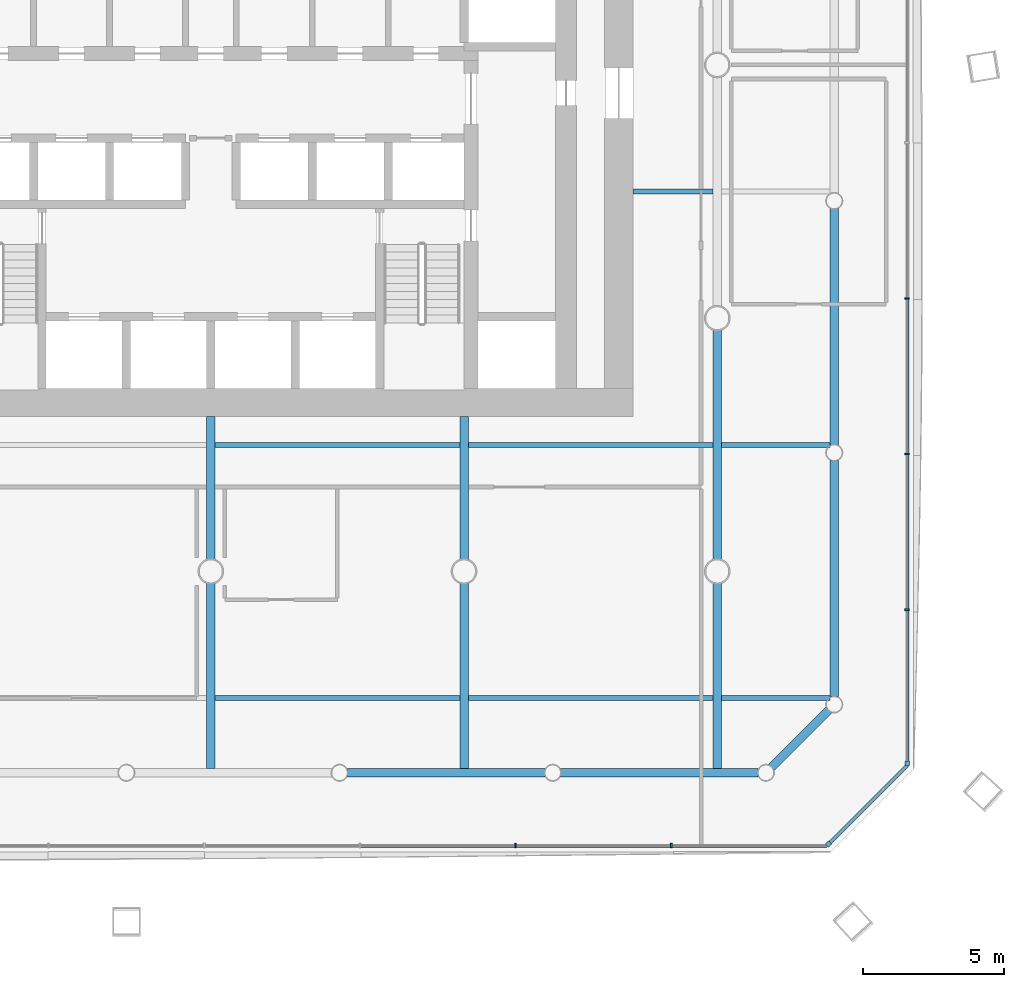
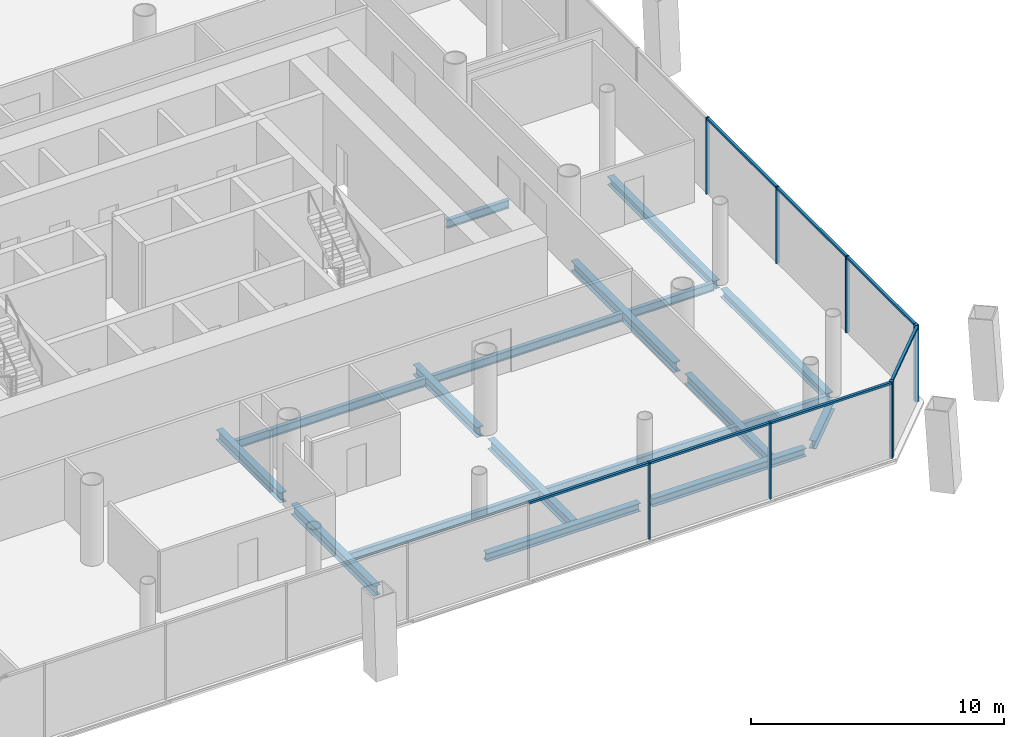
# One storey, part 6 of 22: 18 beams, 14 members, 3 elements without a shape of their own.
"""IFC4 building model written with IfcOpenShell, lengths in metres."""

from ifc_helpers import new_model, si_unit, direction, frame, origin, origin_2d, place, context, subcontext, project, spatial, rectangle, i_section, extrude, material, material_profile, profile_set, type_object, element, aggregate, save


model = new_model("IFC4")

# Units and contexts
model_context = context("Model", 3, precision=1e-05, world=origin(), true_north=direction((0.0, 1.0)))
body_context = subcontext(model_context, "Body", "Model", "MODEL_VIEW")
ifc_project = project(units=[si_unit("LENGTHUNIT", "METRE"), si_unit("AREAUNIT", "SQUARE_METRE"), si_unit("VOLUMEUNIT", "CUBIC_METRE"), si_unit("PLANEANGLEUNIT", "RADIAN"), si_unit("MASSUNIT", "GRAM", prefix="KILO")], contexts=[model_context])

# Site, building, storey
site_placement = place(None, origin())
site = spatial("IfcSite", under=ifc_project, at=site_placement, CompositionType="ELEMENT")
building_placement = place(site_placement, origin())
building = spatial("IfcBuilding", under=site, at=building_placement, Name="Tskaro Facet Tower", CompositionType="ELEMENT")
storey_placement = place(building_placement, frame((0.0, 0.0, 18.60009765625)))
storey = spatial("IfcBuildingStorey", under=building, at=storey_placement, Name="L03", CompositionType="ELEMENT", Elevation=18.60009765625)

# Curtain wall, member
ifc_material_1 = material(Name="Bronze anodised aluminium 6063-T6", Category="aluminium")
curtain_wall_type = type_object("IfcCurtainWallType", Name="Bronze office curtain wall (FW1)", PredefinedType="NOTDEFINED", material=ifc_material_1)
curtain_wall_1_placement = place(storey_placement, origin())
curtain_wall_1 = element("IfcCurtainWall", 1, at=curtain_wall_1_placement, inside=storey, type_object=curtain_wall_type, Name="FW1 south-east facet L03", PredefinedType="NOTDEFINED")
ifc_material_profile_1 = material_profile(ifc_material_1, rectangle(XDim=0.159912109375, YDim=0.159912109375, at=origin_2d()), Name="Corner post 160x160")
ifc_profile_set_1 = profile_set([ifc_material_profile_1], Name="Bronze anodised aluminium 6063-T6")
member_type_1 = type_object("IfcMemberType", Name="FW1 bronze corner post 160x160", PredefinedType="MULLION", material=ifc_profile_set_1)
member_1_placement = place(storey_placement, frame((21.95263671875, -27.693359375, 0.0), z_axis=(0.0, 0.0, 1.0), x_axis=(0.707106781187, 0.707106781187, 0.0)))
member_1 = element("IfcMember", 2, at=member_1_placement, type_object=member_type_1, Name="FW1 south-east corner post", PredefinedType="MULLION", context=body_context, shape_type="SweptSolid", body=[
    extrude(rectangle(XDim=0.159912109375, YDim=0.159912109375, at=origin_2d()), origin(), (0.0, 0.0, 1.0), 3.699951171875),
])

curtain_wall_2_placement = place(storey_placement, origin())
curtain_wall_2 = element("IfcCurtainWall", 3, at=curtain_wall_2_placement, inside=storey, type_object=curtain_wall_type, Name="FW1 east facet L03", PredefinedType="NOTDEFINED")
member_2_placement = place(storey_placement, frame((24.75, -24.81591796875, 0.0), z_axis=(0.0, 0.0, 1.0), x_axis=(0.0, 1.0, 0.0)))
member_2 = element("IfcMember", 4, at=member_2_placement, type_object=member_type_1, Name="FW1 east corner post", PredefinedType="MULLION", context=body_context, shape_type="SweptSolid", body=[
    extrude(rectangle(XDim=0.159912109375, YDim=0.159912109375, at=origin_2d()), origin(), (0.0, 0.0, 1.0), 3.699951171875),
])

# Curtain wall, members
curtain_wall_3_placement = place(storey_placement, origin())
curtain_wall_3 = element("IfcCurtainWall", 5, at=curtain_wall_3_placement, inside=storey, type_object=curtain_wall_type, Name="FW1 south facet L03", PredefinedType="NOTDEFINED")
ifc_material_profile_2 = material_profile(ifc_material_1, rectangle(XDim=0.06005859375, YDim=0.159912109375, at=origin_2d()), Name="Mullion 60x160")
ifc_profile_set_2 = profile_set([ifc_material_profile_2], Name="Bronze anodised aluminium 6063-T6")
member_type_2 = type_object("IfcMemberType", Name="FW1 bronze mullion 60x160", PredefinedType="MULLION", material=ifc_profile_set_2)
member_3_placement = place(storey_placement, frame((10.8310546875, -27.75, 0.0), z_axis=(0.0, 0.0, 1.0), x_axis=(1.0, 0.0, 0.0)))
member_3 = element("IfcMember", 6, at=member_3_placement, type_object=member_type_2, Name="FW1 south mullion 7", PredefinedType="MULLION", context=body_context, shape_type="SweptSolid", body=[
    extrude(rectangle(XDim=0.06005859375, YDim=0.159912109375, at=origin_2d()), origin(), (0.0, 0.0, 1.0), 3.699951171875),
])
member_4_placement = place(storey_placement, frame((16.363525390625, -27.75, 0.0), z_axis=(0.0, 0.0, 1.0), x_axis=(1.0, 0.0, 0.0)))
member_4 = element("IfcMember", 7, at=member_4_placement, type_object=member_type_2, Name="FW1 south mullion 8", PredefinedType="MULLION", context=body_context, shape_type="SweptSolid", body=[
    extrude(rectangle(XDim=0.06005859375, YDim=0.159912109375, at=origin_2d()), origin(), (0.0, 0.0, 1.0), 3.699951171875),
])

# Member
member_5_placement = place(storey_placement, frame((24.75, -19.363525390625, 0.0), z_axis=(0.0, 0.0, 1.0), x_axis=(0.0, 1.0, 0.0)))
member_5 = element("IfcMember", 8, at=member_5_placement, type_object=member_type_2, Name="FW1 east mullion 1", PredefinedType="MULLION", context=body_context, shape_type="SweptSolid", body=[
    extrude(rectangle(XDim=0.06005859375, YDim=0.159912109375, at=origin_2d()), origin(), (0.0, 0.0, 1.0), 3.699951171875),
])

member_6_placement = place(storey_placement, frame((24.75, -13.8310546875, 0.0), z_axis=(0.0, 0.0, 1.0), x_axis=(0.0, 1.0, 0.0)))
member_6 = element("IfcMember", 9, at=member_6_placement, type_object=member_type_2, Name="FW1 east mullion 2", PredefinedType="MULLION", context=body_context, shape_type="SweptSolid", body=[
    extrude(rectangle(XDim=0.06005859375, YDim=0.159912109375, at=origin_2d()), origin(), (0.0, 0.0, 1.0), 3.699951171875),
])

member_7_placement = place(storey_placement, frame((24.75, -8.298583984375, 0.0), z_axis=(0.0, 0.0, 1.0), x_axis=(0.0, 1.0, 0.0)))
member_7 = element("IfcMember", 10, at=member_7_placement, type_object=member_type_2, Name="FW1 east mullion 3", PredefinedType="MULLION", context=body_context, shape_type="SweptSolid", body=[
    extrude(rectangle(XDim=0.06005859375, YDim=0.159912109375, at=origin_2d()), origin(), (0.0, 0.0, 1.0), 3.699951171875),
])

ifc_material_profile_3 = material_profile(ifc_material_1, rectangle(XDim=0.1201171875, YDim=0.10009765625, at=origin_2d()), Name="Transom 120x100")
ifc_profile_set_3 = profile_set([ifc_material_profile_3], Name="Bronze anodised aluminium 6063-T6")
member_type_3 = type_object("IfcMemberType", Name="FW1 bronze transom 120x100", PredefinedType="USERDEFINED", material=ifc_profile_set_3)
member_8_placement = place(storey_placement, frame((5.32861328125, -27.75, 3.64990234375), z_axis=(1.0, 0.0, 0.0), x_axis=(0.0, 1.0, 0.0)))
member_8 = element("IfcMember", 11, at=member_8_placement, type_object=member_type_3, Name="FW1 south transom 7.1", ObjectType="TRANSOM", PredefinedType="USERDEFINED", context=body_context, shape_type="SweptSolid", body=[
    extrude(rectangle(XDim=0.1201171875, YDim=0.10009765625, at=origin_2d()), origin(), (0.0, 0.0, 1.0), 5.472412109375),
])

member_9_placement = place(storey_placement, frame((10.861083984375, -27.75, 3.64990234375), z_axis=(1.0, 0.0, 0.0), x_axis=(0.0, 1.0, 0.0)))
member_9 = element("IfcMember", 12, at=member_9_placement, type_object=member_type_3, Name="FW1 south transom 8.1", ObjectType="TRANSOM", PredefinedType="USERDEFINED", context=body_context, shape_type="SweptSolid", body=[
    extrude(rectangle(XDim=0.1201171875, YDim=0.10009765625, at=origin_2d()), origin(), (0.0, 0.0, 1.0), 5.472412109375),
])

member_10_placement = place(storey_placement, frame((16.3935546875, -27.75, 3.64990234375), z_axis=(1.0, 0.0, 0.0), x_axis=(0.0, 1.0, 0.0)))
member_10 = element("IfcMember", 13, at=member_10_placement, type_object=member_type_3, Name="FW1 south transom 9.1", ObjectType="TRANSOM", PredefinedType="USERDEFINED", context=body_context, shape_type="SweptSolid", body=[
    extrude(rectangle(XDim=0.1201171875, YDim=0.10009765625, at=origin_2d()), origin(), (0.0, 0.0, 1.0), 5.50244140625),
])

aggregate(curtain_wall_3, [member_3, member_4, member_8, member_9, member_10])

member_11_placement = place(storey_placement, frame((22.009033203125, -27.636962890625, 3.64990234375), z_axis=(0.707106781187, 0.707106781187, 0.0), x_axis=(-0.707106781187, 0.707106781187, 0.0)))
member_11 = element("IfcMember", 14, at=member_11_placement, type_object=member_type_3, Name="FW1 south-east transom 1.1", ObjectType="TRANSOM", PredefinedType="USERDEFINED", context=body_context, shape_type="SweptSolid", body=[
    extrude(rectangle(XDim=0.1201171875, YDim=0.10009765625, at=origin_2d()), origin(), (0.0, 0.0, 1.0), 3.876220703125),
])

aggregate(curtain_wall_1, [member_1, member_11])

member_12_placement = place(storey_placement, frame((24.75, -24.736083984375, 3.64990234375), z_axis=(0.0, 1.0, 0.0), x_axis=(-1.0, 0.0, 0.0)))
member_12 = element("IfcMember", 15, at=member_12_placement, type_object=member_type_3, Name="FW1 east transom 1.1", ObjectType="TRANSOM", PredefinedType="USERDEFINED", context=body_context, shape_type="SweptSolid", body=[
    extrude(rectangle(XDim=0.1201171875, YDim=0.10009765625, at=origin_2d()), origin(), (0.0, 0.0, 1.0), 5.342529296875),
])

member_13_placement = place(storey_placement, frame((24.75, -19.33349609375, 3.64990234375), z_axis=(0.0, 1.0, 0.0), x_axis=(-1.0, 0.0, 0.0)))
member_13 = element("IfcMember", 16, at=member_13_placement, type_object=member_type_3, Name="FW1 east transom 2.1", ObjectType="TRANSOM", PredefinedType="USERDEFINED", context=body_context, shape_type="SweptSolid", body=[
    extrude(rectangle(XDim=0.1201171875, YDim=0.10009765625, at=origin_2d()), origin(), (0.0, 0.0, 1.0), 5.472412109375),
])

member_14_placement = place(storey_placement, frame((24.75, -13.801025390625, 3.64990234375), z_axis=(0.0, 1.0, 0.0), x_axis=(-1.0, 0.0, 0.0)))
member_14 = element("IfcMember", 17, at=member_14_placement, type_object=member_type_3, Name="FW1 east transom 3.1", ObjectType="TRANSOM", PredefinedType="USERDEFINED", context=body_context, shape_type="SweptSolid", body=[
    extrude(rectangle(XDim=0.1201171875, YDim=0.10009765625, at=origin_2d()), origin(), (0.0, 0.0, 1.0), 5.472412109375),
])

aggregate(curtain_wall_2, [member_2, member_5, member_6, member_7, member_12, member_13, member_14])

# Beams
ifc_material_2 = material(Name="Steel S355J2", Category="steel")
ifc_material_profile_4 = material_profile(ifc_material_2, i_section(OverallWidth=0.300048828125, OverallDepth=0.39990234375, WebThickness=0.013427734375, FlangeThickness=0.02392578125, FilletRadius=0.027099609375, at=origin_2d()), Name="HE 400 B")
ifc_profile_set_4 = profile_set([ifc_material_profile_4], Name="Steel S355J2")
beam_type_1 = type_object("IfcBeamType", Name="HE 400 B ring beam", PredefinedType="BEAM", material=ifc_profile_set_4)
beam_1_placement = place(storey_placement, frame((4.85107421875, -25.156982421875, -0.340087890625), z_axis=(1.0, 0.0, 0.0), x_axis=(0.0, 1.0, 0.0)))
element("IfcBeam", 18, at=beam_1_placement, inside=storey, type_object=beam_type_1, Name="HE 400 B EB5-1", PredefinedType="BEAM", context=body_context, shape_type="SweptSolid", body=[
    extrude(i_section(OverallWidth=0.300048828125, OverallDepth=0.39990234375, WebThickness=0.013427734375, FlangeThickness=0.02392578125, FilletRadius=0.027099609375, at=origin_2d()), origin(), (0.0, 0.0, 1.0), 7.02685546875),
])
beam_2_placement = place(storey_placement, frame((12.427978515625, -25.156982421875, -0.340087890625), z_axis=(1.0, 0.0, 0.0), x_axis=(0.0, 1.0, 0.0)))
element("IfcBeam", 19, at=beam_2_placement, inside=storey, type_object=beam_type_1, Name="HE 400 B EB6-1", PredefinedType="BEAM", context=body_context, shape_type="SweptSolid", body=[
    extrude(i_section(OverallWidth=0.300048828125, OverallDepth=0.39990234375, WebThickness=0.013427734375, FlangeThickness=0.02392578125, FilletRadius=0.027099609375, at=origin_2d()), origin(), (0.0, 0.0, 1.0), 7.026123046875),
])
beam_3_placement = place(storey_placement, frame((19.92333984375, -24.962646484375, -0.340087890625), z_axis=(0.707106781187, 0.707106781187, 0.0), x_axis=(-0.707106781187, 0.707106781187, 0.0)))
element("IfcBeam", 20, at=beam_3_placement, inside=storey, type_object=beam_type_1, Name="HE 400 B EB7-1", PredefinedType="BEAM", context=body_context, shape_type="SweptSolid", body=[
    extrude(i_section(OverallWidth=0.300048828125, OverallDepth=0.39990234375, WebThickness=0.013427734375, FlangeThickness=0.02392578125, FilletRadius=0.027099609375, at=origin_2d()), origin(), (0.0, 0.0, 1.0), 2.884033203125),
])
for number, where, z_axis, x_axis, name in (
    (21, (22.156982421875, -22.4541015625, -0.340087890625), (0.0, 1.0, 0.0), (-1.0, 0.0, 0.0), "HE 400 B EB8-1"),
    (22, (22.156982421875, -13.506103515625, -0.340087890625), (0.0, 1.0, 0.0), (-1.0, 0.0, 0.0), "HE 400 B EB9-1"),
):
    element("IfcBeam", number, at=place(storey_placement, frame(where, z_axis=z_axis, x_axis=x_axis)), inside=storey, type_object=beam_type_1, Name=name, PredefinedType="BEAM", context=body_context, shape_type="SweptSolid", body=[
        extrude(i_section(OverallWidth=0.300048828125, OverallDepth=0.39990234375, WebThickness=0.013427734375, FlangeThickness=0.02392578125, FilletRadius=0.027099609375, at=origin_2d()), origin(), (0.0, 0.0, 1.0), 8.398193359375),
    ])
ifc_material_profile_5 = material_profile(ifc_material_2, i_section(OverallWidth=0.300048828125, OverallDepth=0.489990234375, WebThickness=0.011962890625, FlangeThickness=0.02294921875, FilletRadius=0.027099609375, at=origin_2d()), Name="HE 500 A")
ifc_profile_set_5 = profile_set([ifc_material_profile_5], Name="Steel S355J2")
beam_type_2 = type_object("IfcBeamType", Name="HE 500 A girder", PredefinedType="BEAM", material=ifc_profile_set_5)
beam_4_placement = place(storey_placement, frame((0.0, -25.007080078125, -0.385009765625), z_axis=(0.0, 1.0, 0.0), x_axis=(-1.0, 0.0, 0.0)))
element("IfcBeam", 23, at=beam_4_placement, inside=storey, type_object=beam_type_2, Name="HE 500 A GB4-1-1", PredefinedType="BEAM", context=body_context, shape_type="SweptSolid", body=[
    extrude(i_section(OverallWidth=0.300048828125, OverallDepth=0.489990234375, WebThickness=0.011962890625, FlangeThickness=0.02294921875, FilletRadius=0.027099609375, at=origin_2d()), origin(), (0.0, 0.0, 1.0), 6.579833984375),
])
beam_5_placement = place(storey_placement, frame((0.0, -17.57275390625, -0.385009765625), z_axis=(0.0, 1.0, 0.0), x_axis=(-1.0, 0.0, 0.0)))
element("IfcBeam", 24, at=beam_5_placement, inside=storey, type_object=beam_type_2, Name="HE 500 A GB4-2-1", PredefinedType="BEAM", context=body_context, shape_type="SweptSolid", body=[
    extrude(i_section(OverallWidth=0.300048828125, OverallDepth=0.489990234375, WebThickness=0.011962890625, FlangeThickness=0.02294921875, FilletRadius=0.027099609375, at=origin_2d()), origin(), (0.0, 0.0, 1.0), 5.07275390625),
])
beam_6_placement = place(storey_placement, frame((9.0, -25.007080078125, -0.385009765625), z_axis=(0.0, 1.0, 0.0), x_axis=(-1.0, 0.0, 0.0)))
element("IfcBeam", 25, at=beam_6_placement, inside=storey, type_object=beam_type_2, Name="HE 500 A GB5-1-1", PredefinedType="BEAM", context=body_context, shape_type="SweptSolid", body=[
    extrude(i_section(OverallWidth=0.300048828125, OverallDepth=0.489990234375, WebThickness=0.011962890625, FlangeThickness=0.02294921875, FilletRadius=0.027099609375, at=origin_2d()), origin(), (0.0, 0.0, 1.0), 6.579833984375),
])
beam_7_placement = place(storey_placement, frame((9.0, -17.57275390625, -0.385009765625), z_axis=(0.0, 1.0, 0.0), x_axis=(-1.0, 0.0, 0.0)))
element("IfcBeam", 26, at=beam_7_placement, inside=storey, type_object=beam_type_2, Name="HE 500 A GB5-2-1", PredefinedType="BEAM", context=body_context, shape_type="SweptSolid", body=[
    extrude(i_section(OverallWidth=0.300048828125, OverallDepth=0.489990234375, WebThickness=0.011962890625, FlangeThickness=0.02294921875, FilletRadius=0.027099609375, at=origin_2d()), origin(), (0.0, 0.0, 1.0), 5.07275390625),
])
beam_8_placement = place(storey_placement, frame((18.0, -25.007080078125, -0.385009765625), z_axis=(0.0, 1.0, 0.0), x_axis=(-1.0, 0.0, 0.0)))
element("IfcBeam", 27, at=beam_8_placement, inside=storey, type_object=beam_type_2, Name="HE 500 A GB6-1-1", PredefinedType="BEAM", context=body_context, shape_type="SweptSolid", body=[
    extrude(i_section(OverallWidth=0.300048828125, OverallDepth=0.489990234375, WebThickness=0.011962890625, FlangeThickness=0.02294921875, FilletRadius=0.027099609375, at=origin_2d()), origin(), (0.0, 0.0, 1.0), 6.579833984375),
])
beam_9_placement = place(storey_placement, frame((18.0, -17.57275390625, -0.385009765625), z_axis=(0.0, 1.0, 0.0), x_axis=(-1.0, 0.0, 0.0)))
element("IfcBeam", 28, at=beam_9_placement, inside=storey, type_object=beam_type_2, Name="HE 500 A GB6-2-1", PredefinedType="BEAM", context=body_context, shape_type="SweptSolid", body=[
    extrude(i_section(OverallWidth=0.300048828125, OverallDepth=0.489990234375, WebThickness=0.011962890625, FlangeThickness=0.02294921875, FilletRadius=0.027099609375, at=origin_2d()), origin(), (0.0, 0.0, 1.0), 8.1455078125),
])
ifc_material_profile_6 = material_profile(ifc_material_2, i_section(OverallWidth=0.179931640625, OverallDepth=0.39990234375, WebThickness=0.008544921875, FlangeThickness=0.013427734375, FilletRadius=0.02099609375, at=origin_2d()), Name="IPE 400")
ifc_profile_set_6 = profile_set([ifc_material_profile_6], Name="Steel S355J2")
beam_type_3 = type_object("IfcBeamType", Name="IPE 400 secondary beam", PredefinedType="BEAM", material=ifc_profile_set_6)
for number, where, z_axis, x_axis, name in (
    (29, (0.14990234375, -22.5, -0.340087890625), (1.0, 0.0, 0.0), (0.0, 1.0, 0.0), "IPE 400 SB1a-4-1"),
    (30, (9.14990234375, -22.5, -0.340087890625), (1.0, 0.0, 0.0), (0.0, 1.0, 0.0), "IPE 400 SB1a-5-1"),
):
    element("IfcBeam", number, at=place(storey_placement, frame(where, z_axis=z_axis, x_axis=x_axis)), inside=storey, type_object=beam_type_3, Name=name, PredefinedType="BEAM", context=body_context, shape_type="SweptSolid", body=[
        extrude(i_section(OverallWidth=0.179931640625, OverallDepth=0.39990234375, WebThickness=0.008544921875, FlangeThickness=0.013427734375, FilletRadius=0.02099609375, at=origin_2d()), origin(), (0.0, 0.0, 1.0), 8.7001953125),
    ])
beam_10_placement = place(storey_placement, frame((18.14990234375, -22.5, -0.340087890625), z_axis=(1.0, 0.0, 0.0), x_axis=(0.0, 1.0, 0.0)))
element("IfcBeam", 31, at=beam_10_placement, inside=storey, type_object=beam_type_3, Name="IPE 400 SB1a-6-1", PredefinedType="BEAM", context=body_context, shape_type="SweptSolid", body=[
    extrude(i_section(OverallWidth=0.179931640625, OverallDepth=0.39990234375, WebThickness=0.008544921875, FlangeThickness=0.013427734375, FilletRadius=0.02099609375, at=origin_2d()), origin(), (0.0, 0.0, 1.0), 3.857177734375),
])
for number, where, z_axis, x_axis, name in (
    (32, (0.14990234375, -13.5, -0.340087890625), (1.0, 0.0, 0.0), (0.0, 1.0, 0.0), "IPE 400 SB2a-4-1"),
    (33, (9.14990234375, -13.5, -0.340087890625), (1.0, 0.0, 0.0), (0.0, 1.0, 0.0), "IPE 400 SB2a-5-1"),
):
    element("IfcBeam", number, at=place(storey_placement, frame(where, z_axis=z_axis, x_axis=x_axis)), inside=storey, type_object=beam_type_3, Name=name, PredefinedType="BEAM", context=body_context, shape_type="SweptSolid", body=[
        extrude(i_section(OverallWidth=0.179931640625, OverallDepth=0.39990234375, WebThickness=0.008544921875, FlangeThickness=0.013427734375, FilletRadius=0.02099609375, at=origin_2d()), origin(), (0.0, 0.0, 1.0), 8.7001953125),
    ])
beam_11_placement = place(storey_placement, frame((18.14990234375, -13.5, -0.340087890625), z_axis=(1.0, 0.0, 0.0), x_axis=(0.0, 1.0, 0.0)))
element("IfcBeam", 34, at=beam_11_placement, inside=storey, type_object=beam_type_3, Name="IPE 400 SB2a-6-1", PredefinedType="BEAM", context=body_context, shape_type="SweptSolid", body=[
    extrude(i_section(OverallWidth=0.179931640625, OverallDepth=0.39990234375, WebThickness=0.008544921875, FlangeThickness=0.013427734375, FilletRadius=0.02099609375, at=origin_2d()), origin(), (0.0, 0.0, 1.0), 3.857177734375),
])
beam_12_placement = place(storey_placement, frame((15.0, -4.5, -0.340087890625), z_axis=(1.0, 0.0, 0.0), x_axis=(0.0, 1.0, 0.0)))
element("IfcBeam", 35, at=beam_12_placement, inside=storey, type_object=beam_type_3, Name="IPE 400 SB3a-3-1", PredefinedType="BEAM", context=body_context, shape_type="SweptSolid", body=[
    extrude(i_section(OverallWidth=0.179931640625, OverallDepth=0.39990234375, WebThickness=0.008544921875, FlangeThickness=0.013427734375, FilletRadius=0.02099609375, at=origin_2d()), origin(), (0.0, 0.0, 1.0), 2.85009765625),
])

save(model, "model.ifc")
